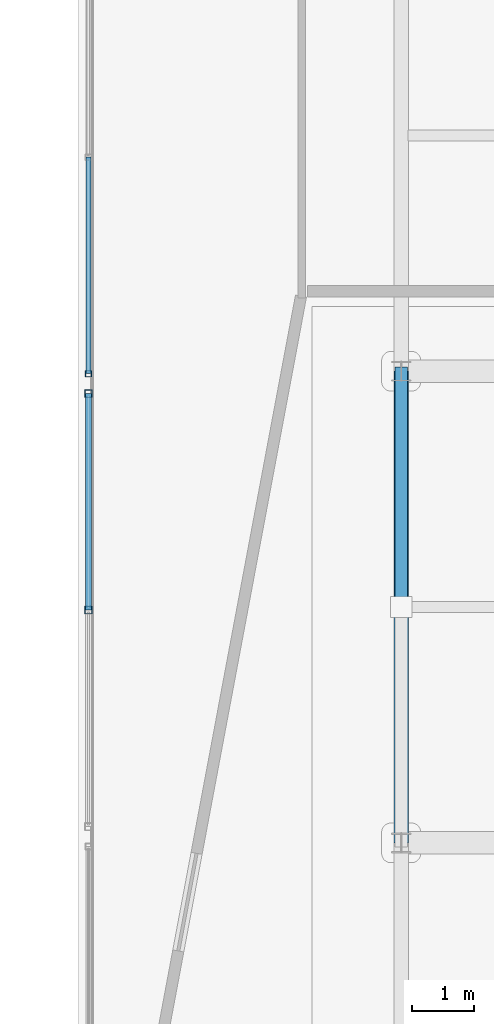
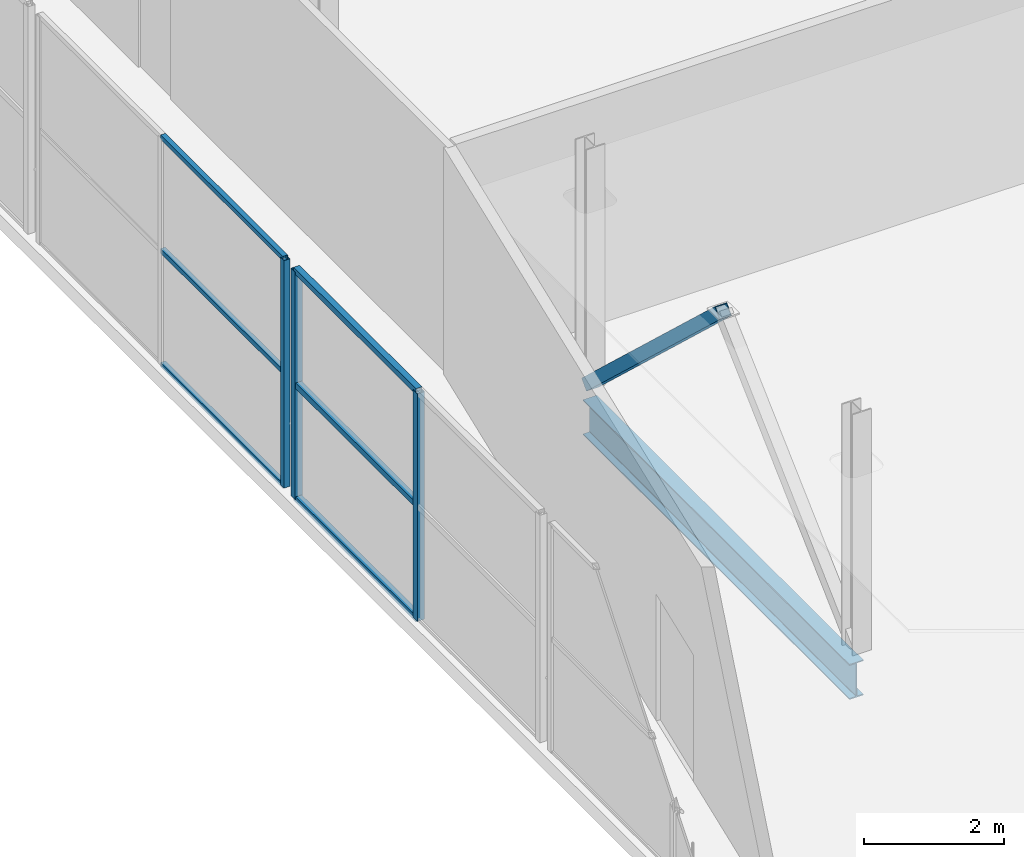
# One storey, part 95 of 151: 10 members, 1 beam, 2 elements without a shape of their own.
"""IFC4 building model written with IfcOpenShell, lengths in metres."""

from ifc_helpers import new_model, si_unit, direction, frame, origin, origin_2d, place, context, subcontext, project, spatial, hollow_rectangle, i_section, extrude, material, material_profile, profile_set, type_object, element, aggregate, save


model = new_model("IFC4")

# Units and contexts
model_context = context("Model", 3, precision=1e-05, world=origin(), true_north=direction((0.0, 1.0)))
body_context = subcontext(model_context, "Body", "Model", "MODEL_VIEW")
ifc_project = project(units=[si_unit("LENGTHUNIT", "METRE"), si_unit("AREAUNIT", "SQUARE_METRE"), si_unit("VOLUMEUNIT", "CUBIC_METRE"), si_unit("PLANEANGLEUNIT", "RADIAN"), si_unit("MASSUNIT", "GRAM", prefix="KILO")], contexts=[model_context])

# Site, building, storey
site_placement = place(None, origin())
site = spatial("IfcSite", under=ifc_project, at=site_placement, CompositionType="ELEMENT")
building_placement = place(site_placement, origin())
building = spatial("IfcBuilding", under=site, at=building_placement, Name="Zuvorla Pavilion Media Centre", CompositionType="ELEMENT")
storey_placement = place(building_placement, frame((0.0, 0.0, 13.800048828125)))
storey = spatial("IfcBuildingStorey", under=building, at=storey_placement, Name="L03", CompositionType="ELEMENT", Elevation=13.800048828125)

# Beam
ifc_material_1 = material(Name="Steel S355", Category="steel")
ifc_material_profile_1 = material_profile(ifc_material_1, i_section(OverallWidth=0.22900390625, OverallDepth=0.6123046875, WebThickness=0.011962890625, FlangeThickness=0.01953125, FilletRadius=0.0126953125, at=origin_2d()), Name="UB 610x229x125")
ifc_profile_set_1 = profile_set([ifc_material_profile_1], Name="Steel S355")
beam_type = type_object("IfcBeamType", Name="BM-UB610", PredefinedType="BEAM", material=ifc_profile_set_1)
beam_placement = place(storey_placement, frame((159.199951171875, 59.199951171875, -0.564208984375), z_axis=(0.0, 1.0, 0.0), x_axis=(-1.0, 0.0, 0.0)))
element("IfcBeam", 1, at=beam_placement, inside=storey, type_object=beam_type, Name="L03 beam B07 1224", PredefinedType="BEAM", context=body_context, shape_type="SweptSolid", body=[
    extrude(i_section(OverallWidth=0.22900390625, OverallDepth=0.6123046875, WebThickness=0.011962890625, FlangeThickness=0.01953125, FilletRadius=0.0126953125, at=origin_2d()), origin(), (0.0, 0.0, 1.0), 7.60009765625),
])

# Curtain wall, member
ifc_material_2 = material(Name="Unitised anodised aluminium and solar glass curtain wall", Category="aluminium")
curtain_wall_type_1 = type_object("IfcCurtainWallType", Name="CW-SYS-57", PredefinedType="USERDEFINED", material=ifc_material_2)
curtain_wall_1_placement = place(storey_placement, origin())
curtain_wall_1 = element("IfcCurtainWall", 2, at=curtain_wall_1_placement, inside=storey, type_object=curtain_wall_type_1, Name="L03 curtain wall CW57 191", ObjectType="CURTAIN WALL", PredefinedType="USERDEFINED")
ifc_material_3 = material(Name="Anodised aluminium 6063-T6", Category="aluminium")
ifc_material_profile_2 = material_profile(ifc_material_3, hollow_rectangle(XDim=0.10009765625, YDim=0.10009765625, WallThickness=0.00439453125, at=origin_2d()), Name="ALU MULL 100x100")
ifc_profile_set_2 = profile_set([ifc_material_profile_2], Name="Anodised aluminium 6063-T6")
member_type_1 = type_object("IfcMemberType", Name="CW-MULL-100", PredefinedType="MULLION", material=ifc_profile_set_2)
member_1_placement = place(storey_placement, frame((154.159912109375, 66.760009765625, 0.0), z_axis=(0.0, 0.0, 1.0), x_axis=(1.0, 0.0, 0.0)))
member_1 = element("IfcMember", 3, at=member_1_placement, type_object=member_type_1, Name="CW57 mullion 1", PredefinedType="MULLION", context=body_context, shape_type="SweptSolid", body=[
    extrude(hollow_rectangle(XDim=0.10009765625, YDim=0.10009765625, WallThickness=0.00439453125, at=origin_2d()), origin(), (0.0, 0.0, 1.0), 3.9599609375),
])

# Curtain wall, members
curtain_wall_type_2 = type_object("IfcCurtainWallType", Name="CW-SYS-58", PredefinedType="USERDEFINED", material=ifc_material_2)
curtain_wall_2_placement = place(storey_placement, origin())
curtain_wall_2 = element("IfcCurtainWall", 4, at=curtain_wall_2_placement, inside=storey, type_object=curtain_wall_type_2, Name="L03 curtain wall CW58 189", ObjectType="CURTAIN WALL", PredefinedType="USERDEFINED")
ifc_material_profile_3 = material_profile(ifc_material_3, hollow_rectangle(XDim=0.1201171875, YDim=0.1201171875, WallThickness=0.0048828125, at=origin_2d()), Name="ALU MULL 120x120")
ifc_profile_set_3 = profile_set([ifc_material_profile_3], Name="Anodised aluminium 6063-T6")
member_type_2 = type_object("IfcMemberType", Name="CW-MULL-120", PredefinedType="MULLION", material=ifc_profile_set_3)
member_2_placement = place(storey_placement, frame((154.159912109375, 62.949951171875, 0.0), z_axis=(0.0, 0.0, 1.0), x_axis=(1.0, 0.0, 0.0)))
member_2 = element("IfcMember", 5, at=member_2_placement, type_object=member_type_2, Name="CW58 mullion 2", PredefinedType="MULLION", context=body_context, shape_type="SweptSolid", body=[
    extrude(hollow_rectangle(XDim=0.1201171875, YDim=0.1201171875, WallThickness=0.0048828125, at=origin_2d()), origin(), (0.0, 0.0, 1.0), 3.9599609375),
])
member_3_placement = place(storey_placement, frame((154.159912109375, 66.43994140625, 0.0), z_axis=(0.0, 0.0, 1.0), x_axis=(1.0, 0.0, 0.0)))
member_3 = element("IfcMember", 6, at=member_3_placement, type_object=member_type_2, Name="CW58 mullion 3", PredefinedType="MULLION", context=body_context, shape_type="SweptSolid", body=[
    extrude(hollow_rectangle(XDim=0.1201171875, YDim=0.1201171875, WallThickness=0.0048828125, at=origin_2d()), origin(), (0.0, 0.0, 1.0), 3.9599609375),
])
ifc_material_profile_4 = material_profile(ifc_material_3, hollow_rectangle(XDim=0.10009765625, YDim=0.10009765625, WallThickness=0.00439453125, at=origin_2d()), Name="ALU TRAN 100x100")
ifc_profile_set_4 = profile_set([ifc_material_profile_4], Name="Anodised aluminium 6063-T6")
member_type_3 = type_object("IfcMemberType", Name="CW-TRAN-100", PredefinedType="USERDEFINED", material=ifc_profile_set_4)
member_4_placement = place(storey_placement, frame((154.159912109375, 62.949951171875, 0.0), z_axis=(0.0, 1.0, 0.0), x_axis=(-1.0, 0.0, 0.0)))
member_4 = element("IfcMember", 7, at=member_4_placement, type_object=member_type_3, Name="CW58 transom 2.1", ObjectType="TRANSOM", PredefinedType="USERDEFINED", context=body_context, shape_type="SweptSolid", body=[
    extrude(hollow_rectangle(XDim=0.10009765625, YDim=0.10009765625, WallThickness=0.00439453125, at=origin_2d()), origin(), (0.0, 0.0, 1.0), 3.489990234375),
])
member_5_placement = place(storey_placement, frame((154.159912109375, 62.949951171875, 1.97998046875), z_axis=(0.0, 1.0, 0.0), x_axis=(-1.0, 0.0, 0.0)))
member_5 = element("IfcMember", 8, at=member_5_placement, type_object=member_type_3, Name="CW58 transom 2.2", ObjectType="TRANSOM", PredefinedType="USERDEFINED", context=body_context, shape_type="SweptSolid", body=[
    extrude(hollow_rectangle(XDim=0.10009765625, YDim=0.10009765625, WallThickness=0.00439453125, at=origin_2d()), origin(), (0.0, 0.0, 1.0), 3.489990234375),
])
member_6_placement = place(storey_placement, frame((154.159912109375, 62.949951171875, 3.9599609375), z_axis=(0.0, 1.0, 0.0), x_axis=(-1.0, 0.0, 0.0)))
member_6 = element("IfcMember", 9, at=member_6_placement, type_object=member_type_3, Name="CW58 transom 2.3", ObjectType="TRANSOM", PredefinedType="USERDEFINED", context=body_context, shape_type="SweptSolid", body=[
    extrude(hollow_rectangle(XDim=0.10009765625, YDim=0.10009765625, WallThickness=0.00439453125, at=origin_2d()), origin(), (0.0, 0.0, 1.0), 3.489990234375),
])
aggregate(curtain_wall_2, [member_2, member_3, member_4, member_5, member_6])

# Member
ifc_material_profile_5 = material_profile(ifc_material_3, hollow_rectangle(XDim=0.080078125, YDim=0.080078125, WallThickness=0.00390625, at=origin_2d()), Name="ALU TRAN 80x80")
ifc_profile_set_5 = profile_set([ifc_material_profile_5], Name="Anodised aluminium 6063-T6")
member_type_4 = type_object("IfcMemberType", Name="CW-TRAN-80", PredefinedType="USERDEFINED", material=ifc_profile_set_5)
member_7_placement = place(storey_placement, frame((154.159912109375, 66.760009765625, 0.0), z_axis=(0.0, 1.0, 0.0), x_axis=(-1.0, 0.0, 0.0)))
member_7 = element("IfcMember", 10, at=member_7_placement, type_object=member_type_4, Name="CW57 transom 1.1", ObjectType="TRANSOM", PredefinedType="USERDEFINED", context=body_context, shape_type="SweptSolid", body=[
    extrude(hollow_rectangle(XDim=0.080078125, YDim=0.080078125, WallThickness=0.00390625, at=origin_2d()), origin(), (0.0, 0.0, 1.0), 3.489990234375),
])

member_8_placement = place(storey_placement, frame((154.159912109375, 66.760009765625, 1.97998046875), z_axis=(0.0, 1.0, 0.0), x_axis=(-1.0, 0.0, 0.0)))
member_8 = element("IfcMember", 11, at=member_8_placement, type_object=member_type_4, Name="CW57 transom 1.2", ObjectType="TRANSOM", PredefinedType="USERDEFINED", context=body_context, shape_type="SweptSolid", body=[
    extrude(hollow_rectangle(XDim=0.080078125, YDim=0.080078125, WallThickness=0.00390625, at=origin_2d()), origin(), (0.0, 0.0, 1.0), 3.489990234375),
])

member_9_placement = place(storey_placement, frame((154.159912109375, 66.760009765625, 3.9599609375), z_axis=(0.0, 1.0, 0.0), x_axis=(-1.0, 0.0, 0.0)))
member_9 = element("IfcMember", 12, at=member_9_placement, type_object=member_type_4, Name="CW57 transom 1.3", ObjectType="TRANSOM", PredefinedType="USERDEFINED", context=body_context, shape_type="SweptSolid", body=[
    extrude(hollow_rectangle(XDim=0.080078125, YDim=0.080078125, WallThickness=0.00390625, at=origin_2d()), origin(), (0.0, 0.0, 1.0), 3.489990234375),
])

aggregate(curtain_wall_1, [member_1, member_7, member_8, member_9])

ifc_material_profile_6 = material_profile(ifc_material_1, hollow_rectangle(XDim=0.199951171875, YDim=0.199951171875, WallThickness=0.010009765625, at=origin_2d()), Name="SHS 200x200x10")
ifc_profile_set_6 = profile_set([ifc_material_profile_6], Name="Steel S355")
member_type_5 = type_object("IfcMemberType", Name="MEM-BRC-SHS200", PredefinedType="BRACE", material=ifc_profile_set_6)
member_10_placement = place(storey_placement, frame((159.199951171875, 66.800048828125, 0.0), z_axis=(0.0, -0.7307351431, 0.682661080361), x_axis=(1.0, 0.0, 0.0)))
element("IfcMember", 13, at=member_10_placement, inside=storey, type_object=member_type_5, Name="L03 diagonal brace BF01 856", PredefinedType="BRACE", context=body_context, shape_type="SweptSolid", body=[
    extrude(hollow_rectangle(XDim=0.199951171875, YDim=0.199951171875, WallThickness=0.010009765625, at=origin_2d()), origin(), (0.0, 0.0, 1.0), 5.2001953125),
])

save(model, "model.ifc")
